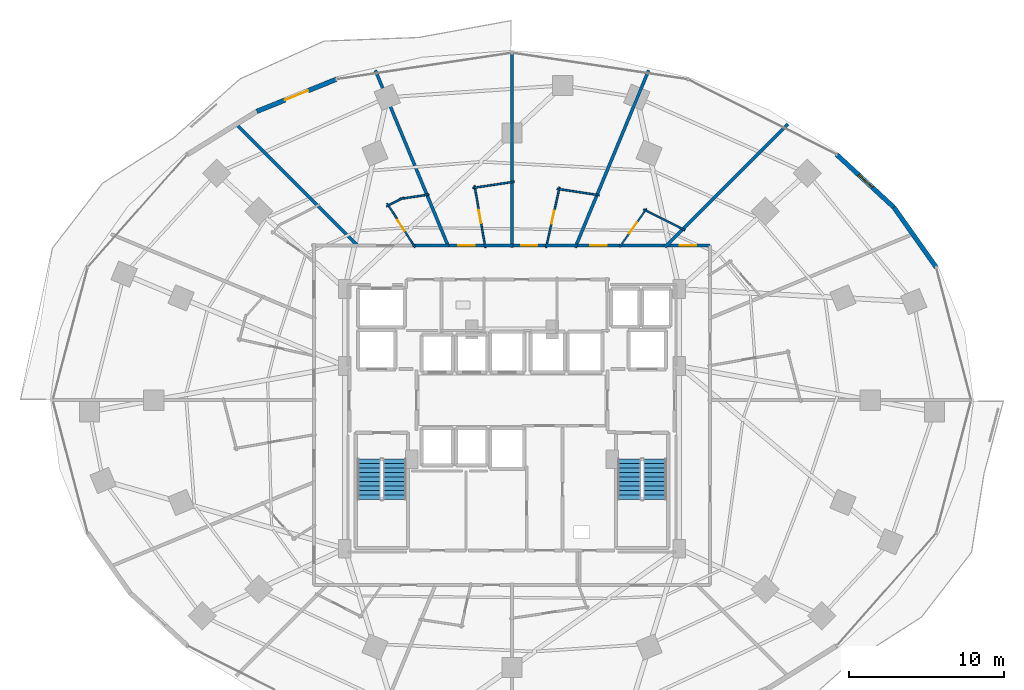
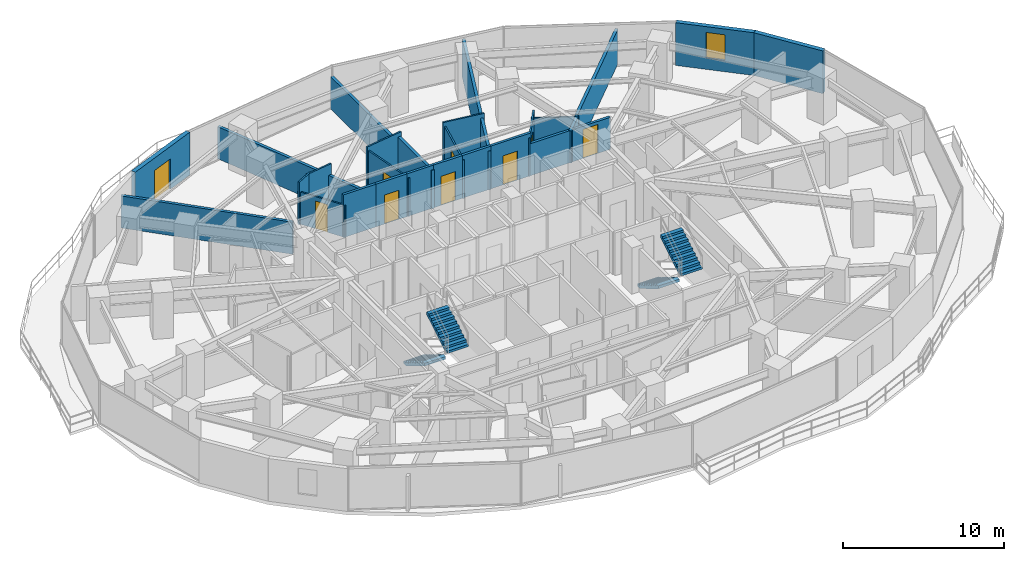
# One storey, part 30 of 34: 28 walls, 9 doors, 4 stair flights, 1 window, 10 openings, 2 elements without a shape of their own.
"""IFC4 building model written with IfcOpenShell, lengths in metres."""

from ifc_helpers import new_model, si_unit, direction, frame, frame_2d, origin, place, context, subcontext, project, spatial, polyline, rectangle, outline, extrude, material, layer, layer_set, type_object, element, fill, aggregate, save


model = new_model("IFC4")

# Units and contexts
model_context = context("Model", 3, precision=1e-05, world=origin(), true_north=direction((0.0, 1.0)))
body_context = subcontext(model_context, "Body", "Model", "MODEL_VIEW")
ifc_project = project(units=[si_unit("LENGTHUNIT", "METRE"), si_unit("AREAUNIT", "SQUARE_METRE"), si_unit("VOLUMEUNIT", "CUBIC_METRE"), si_unit("PLANEANGLEUNIT", "RADIAN"), si_unit("MASSUNIT", "GRAM", prefix="KILO")], contexts=[model_context])

# Site, building, storey
site_placement = place(None, origin())
site = spatial("IfcSite", under=ifc_project, at=site_placement, CompositionType="ELEMENT")
building_placement = place(site_placement, origin())
building = spatial("IfcBuilding", under=site, at=building_placement, Name="Vorneva Point Tower", CompositionType="ELEMENT")
storey_placement = place(building_placement, frame((0.0, 0.0, 27.5)))
storey = spatial("IfcBuildingStorey", under=building, at=storey_placement, Name="L06", CompositionType="ELEMENT", Elevation=27.5)

# Wall
ifc_material_1 = material(Name="Precast concrete B50 (C40/50)", Category="concrete")
ifc_layer_1 = layer(ifc_material_1, 0.300048828125)
ifc_layer_set_1 = layer_set([ifc_layer_1], Name="Precast concrete B50 (C40/50)")
wall_type_1 = type_object("IfcWallType", Name="WL-EXT-300", PredefinedType="STANDARD", material=ifc_layer_set_1)
wall_1_placement = place(storey_placement, frame((65.300537109375, 34.552978515625, 0.0), z_axis=(0.0, 0.0, 1.0), x_axis=(-0.577130815624, 0.816651713803, 0.0)))
element("IfcWall", 1, at=wall_1_placement, inside=storey, type_object=wall_type_1, Name="L06 Pale-Metal Facade Spandrel Wall 02.1", PredefinedType="STANDARD", context=body_context, shape_type="SweptSolid", body=[
    extrude(rectangle(XDim=4.7314453125, YDim=0.300048828125, at=frame_2d((2.36572265625, 0.0))), origin(), (0.0, 0.0, 1.0), 3.239990234375),
])

# Wall, opening, window
wall_2_placement = place(storey_placement, frame((62.56982421875, 38.4169921875, 0.0), z_axis=(0.0, 0.0, 1.0), x_axis=(-0.735342629635, 0.677695519419, 0.0)))
wall_2 = element("IfcWall", 2, at=wall_2_placement, inside=storey, type_object=wall_type_1, Name="L06 Pale-Metal Facade Spandrel Wall 02.2", PredefinedType="STANDARD", context=body_context, shape_type="SweptSolid", body=[
    extrude(rectangle(XDim=4.997314453125, YDim=0.300048828125, at=frame_2d((2.49853515625, 0.0))), origin(), (0.0, 0.0, 1.0), 3.239990234375),
])
opening_1_placement = place(wall_2_placement, frame((1.868896484375, 0.0, 0.85009765625)))
opening_1 = element("IfcOpeningElement", 3, at=opening_1_placement, cuts=wall_2, Name="Opening W-04", PredefinedType="OPENING", context=body_context, shape_type="SweptSolid", body=[
    extrude(rectangle(XDim=1.199951171875, YDim=1.949951171875, at=frame_2d((0.60009765625, 0.97509765625))), frame((0.0, 0.1650390625, 0.0), z_axis=(0.0, -1.0, 0.0), x_axis=(1.0, 0.0, 0.0)), (0.0, 0.0, 1.0), 0.329833984375),
])
ifc_material_2 = material(Name="Double low-e laminated glass IGU", Category="glass")
window_type = type_object("IfcWindowType", Name="WN-RES-1200", PartitioningType="SINGLE_PANEL", PredefinedType="WINDOW", material=ifc_material_2)
window_placement = place(opening_1_placement, origin())
window = element("IfcWindow", 4, at=window_placement, inside=storey, type_object=window_type, Name="L06 Dwelling Vision Window 01", OverallHeight=1.949951171875, OverallWidth=1.199951171875, PartitioningType="SINGLE_PANEL", PredefinedType="WINDOW", context=body_context, shape_type="SweptSolid", body=[
    extrude(rectangle(XDim=1.199951171875, YDim=1.949951171875, at=frame_2d((0.60009765625, 0.97509765625))), frame((0.0, 0.030029296875, 0.0), z_axis=(0.0, -1.0, 0.0), x_axis=(1.0, 0.0, 0.0)), (0.0, 0.0, 1.0), 0.06005859375),
])
fill(opening_1, window)

# Wall, opening, door
wall_3_placement = place(storey_placement, frame((26.691650390625, 46.648681640625, 0.0), z_axis=(0.0, 0.0, 1.0), x_axis=(-0.927095325176, -0.374825636845, 0.0)))
wall_3 = element("IfcWall", 5, at=wall_3_placement, inside=storey, type_object=wall_type_1, Name="L06 Pale-Metal Facade Spandrel Wall 06.1", PredefinedType="STANDARD", context=body_context, shape_type="SweptSolid", body=[
    extrude(rectangle(XDim=5.51025390625, YDim=0.300048828125, at=frame_2d((2.755126953125, 0.0))), origin(), (0.0, 0.0, 1.0), 3.239990234375),
])
opening_2_placement = place(wall_3_placement, frame((1.955322265625, 0.0, 0.0)))
opening_2 = element("IfcOpeningElement", 6, at=opening_2_placement, cuts=wall_3, Name="Opening BD-01", PredefinedType="OPENING", context=body_context, shape_type="SweptSolid", body=[
    extrude(rectangle(XDim=1.60009765625, YDim=2.300048828125, at=frame_2d((0.800048828125, 1.14990234375))), frame((0.0, 0.1650390625, 0.0), z_axis=(0.0, -1.0, 0.0), x_axis=(1.0, 0.0, 0.0)), (0.0, 0.0, 1.0), 0.329833984375),
])
ifc_material_3 = material(Name="Pale anodised aluminium", Category="aluminium")
door_type_1 = type_object("IfcDoorType", Name="DR-BAL-1600", OperationType="SLIDING_TO_LEFT", PredefinedType="DOOR", material=ifc_material_3)
door_1_placement = place(opening_2_placement, origin())
door_1 = element("IfcDoor", 7, at=door_1_placement, inside=storey, type_object=door_type_1, Name="L06 Balcony Terrace Access Door 06", OperationType="SLIDING_TO_LEFT", OverallHeight=2.300048828125, OverallWidth=1.60009765625, PredefinedType="DOOR", context=body_context, shape_type="SweptSolid", body=[
    extrude(rectangle(XDim=1.60009765625, YDim=2.300048828125, at=frame_2d((0.800048828125, 1.14990234375))), frame((0.0, 0.02490234375, 0.0), z_axis=(0.0, -1.0, 0.0), x_axis=(1.0, 0.0, 0.0)), (0.0, 0.0, 1.0), 0.050048828125),
])
fill(opening_2, door_1)

# Wall
ifc_material_4 = material(Name="Fire-rated acoustic gypsum stud partition", Category="gypsum")
ifc_layer_2 = layer(ifc_material_4, 0.110107421875)
ifc_layer_set_2 = layer_set([ifc_layer_2], Name="Fire-rated acoustic gypsum stud partition")
wall_type_2 = type_object("IfcWallType", Name="WL-PART-110", PredefinedType="PARTITIONING", material=ifc_layer_set_2)
wall_4_placement = place(storey_placement, frame((46.462158203125, 38.281005859375, 0.0), z_axis=(0.0, 0.0, 1.0), x_axis=(0.892486842203, -0.451073426944, 0.0)))
element("IfcWall", 8, at=wall_4_placement, inside=storey, type_object=wall_type_2, Name="L06 Interior Partition 066", PredefinedType="PARTITIONING", context=body_context, shape_type="SweptSolid", body=[
    extrude(rectangle(XDim=2.982177734375, YDim=0.110107421875, at=frame_2d((1.4912109375, 0.0))), origin(), (0.0, 0.0, 1.0), 2.431884765625),
])

# Wall, opening, door
wall_5_placement = place(storey_placement, frame((44.91259765625, 35.83544921875, 0.0), z_axis=(0.0, 0.0, 1.0), x_axis=(0.574986040322, 0.818163219312, 0.0)))
wall_5 = element("IfcWall", 9, at=wall_5_placement, inside=storey, type_object=wall_type_2, Name="L06 Interior Partition 067", PredefinedType="PARTITIONING", context=body_context, shape_type="SweptSolid", body=[
    extrude(rectangle(XDim=3.052001953125, YDim=0.110107421875, at=frame_2d((1.52587890625, 0.0))), origin(), (0.0, 0.0, 1.0), 2.922119140625),
])
opening_3_placement = place(wall_5_placement, frame((1.10107421875, 0.0, 0.0)))
opening_3 = element("IfcOpeningElement", 10, at=opening_3_placement, cuts=wall_5, Name="Opening ID-02", PredefinedType="OPENING", context=body_context, shape_type="SweptSolid", body=[
    extrude(rectangle(XDim=0.85009765625, YDim=2.10009765625, at=frame_2d((0.425048828125, 1.050048828125))), frame((0.0, 0.06982421875, 0.0), z_axis=(0.0, -1.0, 0.0), x_axis=(1.0, 0.0, 0.0)), (0.0, 0.0, 1.0), 0.139892578125),
])
ifc_material_5 = material(Name="Engineered oak fire-rated door leaf", Category="wood")
door_type_2 = type_object("IfcDoorType", Name="DR-BATH-850", OperationType="NOTDEFINED", PredefinedType="DOOR", material=ifc_material_5)
door_2_placement = place(opening_3_placement, origin())
door_2 = element("IfcDoor", 11, at=door_2_placement, inside=storey, type_object=door_type_2, Name="L06 Door Corner Suite L06-03 / En-Suite Bathroom L06-03", OperationType="SINGLE_SWING_RIGHT", OverallHeight=2.10009765625, OverallWidth=0.85009765625, PredefinedType="DOOR", context=body_context, shape_type="SweptSolid", body=[
    extrude(rectangle(XDim=0.85009765625, YDim=2.10009765625, at=frame_2d((0.425048828125, 1.050048828125))), frame((0.0, 0.02490234375, 0.0), z_axis=(0.0, -1.0, 0.0), x_axis=(1.0, 0.0, 0.0)), (0.0, 0.0, 1.0), 0.050048828125),
])
fill(opening_3, door_2)

wall_6_placement = place(storey_placement, frame((40.193603515625, 35.8134765625, 0.0), z_axis=(0.0, 0.0, 1.0), x_axis=(0.21804880916, 0.975937865248, 0.0)))
wall_6 = element("IfcWall", 12, at=wall_6_placement, inside=storey, type_object=wall_type_2, Name="L06 Interior Partition 070", PredefinedType="PARTITIONING", context=body_context, shape_type="SweptSolid", body=[
    extrude(rectangle(XDim=3.998291015625, YDim=0.110107421875, at=frame_2d((1.9990234375, 0.0))), origin(), (0.0, 0.0, 1.0), 2.922119140625),
])
opening_4_placement = place(wall_6_placement, frame((1.57421875, 0.0, 0.0)))
opening_4 = element("IfcOpeningElement", 13, at=opening_4_placement, cuts=wall_6, Name="Opening ID-02", PredefinedType="OPENING", context=body_context, shape_type="SweptSolid", body=[
    extrude(rectangle(XDim=0.85009765625, YDim=2.10009765625, at=frame_2d((0.425048828125, 1.050048828125))), frame((0.0, 0.06982421875, 0.0), z_axis=(0.0, -1.0, 0.0), x_axis=(1.0, 0.0, 0.0)), (0.0, 0.0, 1.0), 0.139892578125),
])
door_3_placement = place(opening_4_placement, origin())
door_3 = element("IfcDoor", 14, at=door_3_placement, inside=storey, type_object=door_type_2, Name="L06 Door Junior Suite L06-04 / En-Suite Bathroom L06-04", OperationType="SINGLE_SWING_LEFT", OverallHeight=2.10009765625, OverallWidth=0.85009765625, PredefinedType="DOOR", context=body_context, shape_type="SweptSolid", body=[
    extrude(rectangle(XDim=0.85009765625, YDim=2.10009765625, at=frame_2d((0.425048828125, 1.050048828125))), frame((0.0, 0.02490234375, 0.0), z_axis=(0.0, -1.0, 0.0), x_axis=(1.0, 0.0, 0.0)), (0.0, 0.0, 1.0), 0.050048828125),
])
fill(opening_4, door_3)

# Walls
wall_7_placement = place(storey_placement, frame((40.896484375, 39.599853515625, 0.0), z_axis=(0.0, 0.0, 1.0), x_axis=(0.98891024541, -0.148514398367, 0.0)))
element("IfcWall", 15, at=wall_7_placement, inside=storey, type_object=wall_type_2, Name="L06 Interior Partition 071", PredefinedType="PARTITIONING", context=body_context, shape_type="SweptSolid", body=[
    extrude(rectangle(XDim=2.745361328125, YDim=0.110107421875, at=frame_2d((1.37255859375, 0.0))), origin(), (0.0, 0.0, 1.0), 3.239990234375),
])
wall_8_placement = place(storey_placement, frame((35.474609375, 39.65625, 0.0), z_axis=(0.0, 0.0, 1.0), x_axis=(0.988878442063, 0.148726012595, 0.0)))
element("IfcWall", 16, at=wall_8_placement, inside=storey, type_object=wall_type_2, Name="L06 Interior Partition 074", PredefinedType="PARTITIONING", context=body_context, shape_type="SweptSolid", body=[
    extrude(rectangle(XDim=2.69384765625, YDim=0.110107421875, at=frame_2d((1.346923828125, 0.0))), origin(), (0.0, 0.0, 1.0), 3.239990234375),
])

# Wall, opening, door
wall_9_placement = place(storey_placement, frame((36.287109375, 35.81201171875, 0.0), z_axis=(0.0, 0.0, 1.0), x_axis=(-0.171838135253, 0.985125197766, 0.0)))
wall_9 = element("IfcWall", 17, at=wall_9_placement, inside=storey, type_object=wall_type_2, Name="L06 Interior Partition 075", PredefinedType="PARTITIONING", context=body_context, shape_type="SweptSolid", body=[
    extrude(rectangle(XDim=4.0634765625, YDim=0.110107421875, at=frame_2d((2.03173828125, 0.0))), origin(), (0.0, 0.0, 1.0), 2.922119140625),
])
opening_5_placement = place(wall_9_placement, frame((1.606689453125, 0.0, 0.0)))
opening_5 = element("IfcOpeningElement", 18, at=opening_5_placement, cuts=wall_9, Name="Opening ID-02", PredefinedType="OPENING", context=body_context, shape_type="SweptSolid", body=[
    extrude(rectangle(XDim=0.85009765625, YDim=2.10009765625, at=frame_2d((0.425048828125, 1.050048828125))), frame((0.0, 0.06982421875, 0.0), z_axis=(0.0, -1.0, 0.0), x_axis=(1.0, 0.0, 0.0)), (0.0, 0.0, 1.0), 0.139892578125),
])
door_4_placement = place(opening_5_placement, origin())
door_4 = element("IfcDoor", 19, at=door_4_placement, inside=storey, type_object=door_type_2, Name="L06 Door Executive Suite L06-05 / En-Suite Bathroom L06-05", OperationType="SINGLE_SWING_RIGHT", OverallHeight=2.10009765625, OverallWidth=0.85009765625, PredefinedType="DOOR", context=body_context, shape_type="SweptSolid", body=[
    extrude(rectangle(XDim=0.85009765625, YDim=2.10009765625, at=frame_2d((0.425048828125, 1.050048828125))), frame((0.0, 0.02490234375, 0.0), z_axis=(0.0, -1.0, 0.0), x_axis=(1.0, 0.0, 0.0)), (0.0, 0.0, 1.0), 0.050048828125),
])
fill(opening_5, door_4)

# Walls
wall_10_placement = place(storey_placement, frame((29.919189453125, 38.47265625, 0.0), z_axis=(0.0, 0.0, 1.0), x_axis=(0.892084606746, 0.45186840386, 0.0)))
element("IfcWall", 20, at=wall_10_placement, inside=storey, type_object=wall_type_2, Name="L06 Interior Partition 077", PredefinedType="PARTITIONING", context=body_context, shape_type="SweptSolid", body=[
    extrude(rectangle(XDim=1.236083984375, YDim=0.110107421875, at=frame_2d((0.6181640625, 0.0))), origin(), (0.0, 0.0, 1.0), 3.239990234375),
])
wall_11_placement = place(storey_placement, frame((30.758544921875, 38.947265625, 0.0), z_axis=(0.0, 0.0, 1.0), x_axis=(0.988889867338, 0.148650026153, 0.0)))
element("IfcWall", 21, at=wall_11_placement, inside=storey, type_object=wall_type_2, Name="L06 Interior Partition 078", PredefinedType="PARTITIONING", context=body_context, shape_type="SweptSolid", body=[
    extrude(rectangle(XDim=1.92822265625, YDim=0.110107421875, at=frame_2d((0.964111328125, 0.0))), origin(), (0.0, 0.0, 1.0), 3.239990234375),
])

# Wall, opening, door
wall_12_placement = place(storey_placement, frame((31.760986328125, 35.831787109375, 0.0), z_axis=(0.0, 0.0, 1.0), x_axis=(-0.535991614842, 0.844223305067, 0.0)))
wall_12 = element("IfcWall", 22, at=wall_12_placement, inside=storey, type_object=wall_type_2, Name="L06 Interior Partition 079", PredefinedType="PARTITIONING", context=body_context, shape_type="SweptSolid", body=[
    extrude(rectangle(XDim=3.34326171875, YDim=0.110107421875, at=frame_2d((1.671630859375, 0.0))), origin(), (0.0, 0.0, 1.0), 2.431884765625),
])
opening_6_placement = place(wall_12_placement, frame((1.24658203125, 0.0, 0.0)))
opening_6 = element("IfcOpeningElement", 23, at=opening_6_placement, cuts=wall_12, Name="Opening ID-02", PredefinedType="OPENING", context=body_context, shape_type="SweptSolid", body=[
    extrude(rectangle(XDim=0.85009765625, YDim=2.10009765625, at=frame_2d((0.425048828125, 1.050048828125))), frame((0.0, 0.06982421875, 0.0), z_axis=(0.0, -1.0, 0.0), x_axis=(1.0, 0.0, 0.0)), (0.0, 0.0, 1.0), 0.139892578125),
])
door_5_placement = place(opening_6_placement, origin())
door_5 = element("IfcDoor", 24, at=door_5_placement, inside=storey, type_object=door_type_2, Name="L06 Door Corner Suite L06-06 / En-Suite Bathroom L06-06", OperationType="SINGLE_SWING_LEFT", OverallHeight=2.10009765625, OverallWidth=0.85009765625, PredefinedType="DOOR", context=body_context, shape_type="SweptSolid", body=[
    extrude(rectangle(XDim=0.85009765625, YDim=2.10009765625, at=frame_2d((0.425048828125, 1.050048828125))), frame((0.0, 0.02490234375, 0.0), z_axis=(0.0, -1.0, 0.0), x_axis=(1.0, 0.0, 0.0)), (0.0, 0.0, 1.0), 0.050048828125),
])
fill(opening_6, door_5)

ifc_material_6 = material(Name="Autoclaved aerated concrete blockwork", Category="masonry")
ifc_layer_3 = layer(ifc_material_6, 0.179931640625)
ifc_layer_set_3 = layer_set([ifc_layer_3], Name="Autoclaved aerated concrete blockwork")
wall_type_3 = type_object("IfcWallType", Name="WL-PART-180", PredefinedType="PARTITIONING", material=ifc_layer_set_3)
wall_13_placement = place(storey_placement, frame((50.75, 35.949951171875, 0.0), z_axis=(0.0, 0.0, 1.0), x_axis=(-1.0, 0.0, 0.0)))
wall_13 = element("IfcWall", 25, at=wall_13_placement, inside=storey, type_object=wall_type_3, Name="L06 Interior Partition 027", PredefinedType="PARTITIONING", context=body_context, shape_type="SweptSolid", body=[
    extrude(rectangle(XDim=2.860107421875, YDim=0.179931640625, at=frame_2d((1.43017578125, 0.0))), origin(), (0.0, 0.0, 1.0), 2.431884765625),
])
opening_7_placement = place(wall_13_placement, frame((0.905029296875, 0.0, 0.0)))
opening_7 = element("IfcOpeningElement", 26, at=opening_7_placement, cuts=wall_13, Name="Opening UD-02", PredefinedType="OPENING", context=body_context, shape_type="SweptSolid", body=[
    extrude(rectangle(XDim=1.050048828125, YDim=2.199951171875, at=frame_2d((0.52490234375, 1.10009765625))), frame((0.0, 0.10498046875, 0.0), z_axis=(0.0, -1.0, 0.0), x_axis=(1.0, 0.0, 0.0)), (0.0, 0.0, 1.0), 0.209716796875),
])
door_type_3 = type_object("IfcDoorType", Name="DR-SUITE-1050", OperationType="NOTDEFINED", PredefinedType="DOOR", material=ifc_material_5)
door_6_placement = place(opening_7_placement, origin())
door_6 = element("IfcDoor", 27, at=door_6_placement, inside=storey, type_object=door_type_3, Name="L06 Door L06 Circulation Corridor / Executive Suite L06-02", OperationType="SINGLE_SWING_LEFT", OverallHeight=2.199951171875, OverallWidth=1.050048828125, PredefinedType="DOOR", context=body_context, shape_type="SweptSolid", body=[
    extrude(rectangle(XDim=1.050048828125, YDim=2.199951171875, at=frame_2d((0.52490234375, 1.10009765625))), frame((0.0, 0.02490234375, 0.0), z_axis=(0.0, -1.0, 0.0), x_axis=(1.0, 0.0, 0.0)), (0.0, 0.0, 1.0), 0.050048828125),
])
fill(opening_7, door_6)

wall_14_placement = place(storey_placement, frame((45.06591796875, 35.949951171875, 0.0), z_axis=(0.0, 0.0, 1.0), x_axis=(-1.0, 0.0, 0.0)))
wall_14 = element("IfcWall", 28, at=wall_14_placement, inside=storey, type_object=wall_type_3, Name="L06 Interior Partition 029", PredefinedType="PARTITIONING", context=body_context, shape_type="SweptSolid", body=[
    extrude(rectangle(XDim=3.0048828125, YDim=0.179931640625, at=frame_2d((1.50244140625, 0.0))), origin(), (0.0, 0.0, 1.0), 3.239990234375),
])
opening_8_placement = place(wall_14_placement, frame((0.9775390625, 0.0, 0.0)))
opening_8 = element("IfcOpeningElement", 29, at=opening_8_placement, cuts=wall_14, Name="Opening UD-02", PredefinedType="OPENING", context=body_context, shape_type="SweptSolid", body=[
    extrude(rectangle(XDim=1.050048828125, YDim=2.199951171875, at=frame_2d((0.52490234375, 1.10009765625))), frame((0.0, 0.10498046875, 0.0), z_axis=(0.0, -1.0, 0.0), x_axis=(1.0, 0.0, 0.0)), (0.0, 0.0, 1.0), 0.209716796875),
])
door_7_placement = place(opening_8_placement, origin())
door_7 = element("IfcDoor", 30, at=door_7_placement, inside=storey, type_object=door_type_3, Name="L06 Door L06 Circulation Corridor / Corner Suite L06-03", OperationType="SINGLE_SWING_RIGHT", OverallHeight=2.199951171875, OverallWidth=1.050048828125, PredefinedType="DOOR", context=body_context, shape_type="SweptSolid", body=[
    extrude(rectangle(XDim=1.050048828125, YDim=2.199951171875, at=frame_2d((0.52490234375, 1.10009765625))), frame((0.0, 0.02490234375, 0.0), z_axis=(0.0, -1.0, 0.0), x_axis=(1.0, 0.0, 0.0)), (0.0, 0.0, 1.0), 0.050048828125),
])
fill(opening_8, door_7)

# Wall
wall_15_placement = place(storey_placement, frame((48.030029296875, 35.949951171875, 0.0), z_axis=(0.0, 0.0, 1.0), x_axis=(-1.0, 0.0, 0.0)))
element("IfcWall", 31, at=wall_15_placement, inside=storey, type_object=wall_type_3, Name="L06 Interior Partition 030", PredefinedType="PARTITIONING", context=body_context, shape_type="SweptSolid", body=[
    extrude(rectangle(XDim=3.10400390625, YDim=0.179931640625, at=frame_2d((1.552001953125, 0.0))), origin(), (0.0, 0.0, 1.0), 2.431884765625),
])

# Wall, opening, door
wall_16_placement = place(storey_placement, frame((40.284912109375, 35.949951171875, 0.0), z_axis=(0.0, 0.0, 1.0), x_axis=(-1.0, 0.0, 0.0)))
wall_16 = element("IfcWall", 32, at=wall_16_placement, inside=storey, type_object=wall_type_3, Name="L06 Interior Partition 031", PredefinedType="PARTITIONING", context=body_context, shape_type="SweptSolid", body=[
    extrude(rectangle(XDim=2.344970703125, YDim=0.179931640625, at=frame_2d((1.17236328125, 0.0))), origin(), (0.0, 0.0, 1.0), 3.239990234375),
])
opening_9_placement = place(wall_16_placement, frame((0.6474609375, 0.0, 0.0)))
opening_9 = element("IfcOpeningElement", 33, at=opening_9_placement, cuts=wall_16, Name="Opening UD-02", PredefinedType="OPENING", context=body_context, shape_type="SweptSolid", body=[
    extrude(rectangle(XDim=1.050048828125, YDim=2.199951171875, at=frame_2d((0.52490234375, 1.10009765625))), frame((0.0, 0.10498046875, 0.0), z_axis=(0.0, -1.0, 0.0), x_axis=(1.0, 0.0, 0.0)), (0.0, 0.0, 1.0), 0.209716796875),
])
door_8_placement = place(opening_9_placement, origin())
door_8 = element("IfcDoor", 34, at=door_8_placement, inside=storey, type_object=door_type_3, Name="L06 Door L06 Circulation Corridor / Junior Suite L06-04", OperationType="SINGLE_SWING_LEFT", OverallHeight=2.199951171875, OverallWidth=1.050048828125, PredefinedType="DOOR", context=body_context, shape_type="SweptSolid", body=[
    extrude(rectangle(XDim=1.050048828125, YDim=2.199951171875, at=frame_2d((0.52490234375, 1.10009765625))), frame((0.0, 0.02490234375, 0.0), z_axis=(0.0, -1.0, 0.0), x_axis=(1.0, 0.0, 0.0)), (0.0, 0.0, 1.0), 0.050048828125),
])
fill(opening_9, door_8)

# Wall
wall_17_placement = place(storey_placement, frame((42.200927734375, 35.949951171875, 0.0), z_axis=(0.0, 0.0, 1.0), x_axis=(-1.0, 0.0, 0.0)))
element("IfcWall", 35, at=wall_17_placement, inside=storey, type_object=wall_type_3, Name="L06 Interior Partition 032", PredefinedType="PARTITIONING", context=body_context, shape_type="SweptSolid", body=[
    extrude(rectangle(XDim=2.055908203125, YDim=0.179931640625, at=frame_2d((1.02783203125, 0.0))), origin(), (0.0, 0.0, 1.0), 3.239990234375),
])

# Wall, opening, door
wall_18_placement = place(storey_placement, frame((36.322998046875, 35.949951171875, 0.0), z_axis=(0.0, 0.0, 1.0), x_axis=(-1.0, 0.0, 0.0)))
wall_18 = element("IfcWall", 36, at=wall_18_placement, inside=storey, type_object=wall_type_3, Name="L06 Interior Partition 033", PredefinedType="PARTITIONING", context=body_context, shape_type="SweptSolid", body=[
    extrude(rectangle(XDim=2.509033203125, YDim=0.179931640625, at=frame_2d((1.25439453125, 0.0))), origin(), (0.0, 0.0, 1.0), 3.239990234375),
])
opening_10_placement = place(wall_18_placement, frame((0.7294921875, 0.0, 0.0)))
opening_10 = element("IfcOpeningElement", 37, at=opening_10_placement, cuts=wall_18, Name="Opening UD-02", PredefinedType="OPENING", context=body_context, shape_type="SweptSolid", body=[
    extrude(rectangle(XDim=1.050048828125, YDim=2.199951171875, at=frame_2d((0.52490234375, 1.10009765625))), frame((0.0, 0.10498046875, 0.0), z_axis=(0.0, -1.0, 0.0), x_axis=(1.0, 0.0, 0.0)), (0.0, 0.0, 1.0), 0.209716796875),
])
door_9_placement = place(opening_10_placement, origin())
door_9 = element("IfcDoor", 38, at=door_9_placement, inside=storey, type_object=door_type_3, Name="L06 Door L06 Circulation Corridor / Executive Suite L06-05", OperationType="SINGLE_SWING_RIGHT", OverallHeight=2.199951171875, OverallWidth=1.050048828125, PredefinedType="DOOR", context=body_context, shape_type="SweptSolid", body=[
    extrude(rectangle(XDim=1.050048828125, YDim=2.199951171875, at=frame_2d((0.52490234375, 1.10009765625))), frame((0.0, 0.02490234375, 0.0), z_axis=(0.0, -1.0, 0.0), x_axis=(1.0, 0.0, 0.0)), (0.0, 0.0, 1.0), 0.050048828125),
])
fill(opening_10, door_9)

# Walls
wall_19_placement = place(storey_placement, frame((38.080078125, 35.949951171875, 0.0), z_axis=(0.0, 0.0, 1.0), x_axis=(-1.0, 0.0, 0.0)))
element("IfcWall", 39, at=wall_19_placement, inside=storey, type_object=wall_type_3, Name="L06 Interior Partition 034", PredefinedType="PARTITIONING", context=body_context, shape_type="SweptSolid", body=[
    extrude(rectangle(XDim=1.89697265625, YDim=0.179931640625, at=frame_2d((0.948486328125, 0.0))), origin(), (0.0, 0.0, 1.0), 3.239990234375),
])
wall_20_placement = place(storey_placement, frame((33.9541015625, 35.949951171875, 0.0), z_axis=(0.0, 0.0, 1.0), x_axis=(-1.0, 0.0, 0.0)))
element("IfcWall", 40, at=wall_20_placement, inside=storey, type_object=wall_type_3, Name="L06 Interior Partition 036", PredefinedType="PARTITIONING", context=body_context, shape_type="SweptSolid", body=[
    extrude(rectangle(XDim=2.34814453125, YDim=0.179931640625, at=frame_2d((1.174072265625, 0.0))), origin(), (0.0, 0.0, 1.0), 3.239990234375),
])
ifc_layer_4 = layer(ifc_material_6, 0.199951171875)
ifc_layer_set_4 = layer_set([ifc_layer_4], Name="Autoclaved aerated concrete blockwork")
wall_type_4 = type_object("IfcWallType", Name="WL-PART-200", PredefinedType="PARTITIONING", material=ifc_layer_set_4)
wall_21_placement = place(storey_placement, frame((55.7529296875, 43.7529296875, 0.0), z_axis=(0.0, 0.0, 1.0), x_axis=(-0.707106781187, -0.707106781187, 0.0)))
element("IfcWall", 41, at=wall_21_placement, inside=storey, type_object=wall_type_4, Name="L06 Interior Partition 064", PredefinedType="PARTITIONING", context=body_context, shape_type="SweptSolid", body=[
    extrude(rectangle(XDim=9.614990234375, YDim=0.199951171875, at=frame_2d((4.8076171875, 0.0))), origin(), (0.0, 0.0, 1.0), 2.6240234375),
])
wall_22_placement = place(storey_placement, frame((49.052978515625, 37.052978515625, 0.0), z_axis=(0.0, 0.0, 1.0), x_axis=(-0.707106781187, -0.707106781187, 0.0)))
element("IfcWall", 42, at=wall_22_placement, inside=storey, type_object=wall_type_4, Name="L06 Interior Partition 065", PredefinedType="PARTITIONING", context=body_context, shape_type="SweptSolid", body=[
    extrude(rectangle(XDim=1.69970703125, YDim=0.199951171875, at=frame_2d((0.849853515625, 0.0))), origin(), (0.0, 0.0, 1.0), 2.431884765625),
])
wall_23_placement = place(storey_placement, frame((46.7919921875, 47.22509765625, 0.0), z_axis=(0.0, 0.0, 1.0), x_axis=(-0.382750893248, -0.923851586413, 0.0)))
element("IfcWall", 43, at=wall_23_placement, inside=storey, type_object=wall_type_4, Name="L06 Interior Partition 068", PredefinedType="PARTITIONING", context=body_context, shape_type="SweptSolid", body=[
    extrude(rectangle(XDim=8.734130859375, YDim=0.199951171875, at=frame_2d((4.3671875, 0.0))), origin(), (0.0, 0.0, 1.0), 2.8740234375),
])
wall_24_placement = place(storey_placement, frame((43.503173828125, 39.28515625, 0.0), z_axis=(0.0, 0.0, 1.0), x_axis=(-0.382867331148, -0.923803337697, 0.0)))
element("IfcWall", 44, at=wall_24_placement, inside=storey, type_object=wall_type_4, Name="L06 Interior Partition 069", PredefinedType="PARTITIONING", context=body_context, shape_type="SweptSolid", body=[
    extrude(rectangle(XDim=3.75, YDim=0.199951171875, at=frame_2d((1.875, 0.0))), origin(), (0.0, 0.0, 1.0), 2.922119140625),
])
wall_25_placement = place(storey_placement, frame((38.0, 48.35009765625, 0.0), z_axis=(0.0, 0.0, 1.0), x_axis=(0.0, -1.0, 0.0)))
element("IfcWall", 45, at=wall_25_placement, inside=storey, type_object=wall_type_4, Name="L06 Interior Partition 072", PredefinedType="PARTITIONING", context=body_context, shape_type="SweptSolid", body=[
    extrude(rectangle(XDim=8.375, YDim=0.199951171875, at=frame_2d((4.1875, 0.0))), origin(), (0.0, 0.0, 1.0), 2.431884765625),
])
wall_26_placement = place(storey_placement, frame((38.0, 40.114990234375, 0.0), z_axis=(0.0, 0.0, 1.0), x_axis=(0.0, -1.0, 0.0)))
element("IfcWall", 46, at=wall_26_placement, inside=storey, type_object=wall_type_4, Name="L06 Interior Partition 073", PredefinedType="PARTITIONING", context=body_context, shape_type="SweptSolid", body=[
    extrude(rectangle(XDim=4.304931640625, YDim=0.199951171875, at=frame_2d((2.15234375, 0.0))), origin(), (0.0, 0.0, 1.0), 2.922119140625),
])
wall_27_placement = place(storey_placement, frame((29.2080078125, 47.22509765625, 0.0), z_axis=(0.0, 0.0, 1.0), x_axis=(0.382723985517, -0.923862733803, 0.0)))
element("IfcWall", 47, at=wall_27_placement, inside=storey, type_object=wall_type_4, Name="L06 Interior Partition 076", PredefinedType="PARTITIONING", context=body_context, shape_type="SweptSolid", body=[
    extrude(rectangle(XDim=12.204345703125, YDim=0.199951171875, at=frame_2d((6.10205078125, 0.0))), origin(), (0.0, 0.0, 1.0), 2.431884765625),
])
wall_28_placement = place(storey_placement, frame((20.2470703125, 43.7529296875, 0.0), z_axis=(0.0, 0.0, 1.0), x_axis=(0.707106781187, -0.707106781187, 0.0)))
element("IfcWall", 48, at=wall_28_placement, inside=storey, type_object=wall_type_4, Name="L06 Interior Partition 080", PredefinedType="PARTITIONING", context=body_context, shape_type="SweptSolid", body=[
    extrude(rectangle(XDim=11.03515625, YDim=0.199951171875, at=frame_2d((5.517578125, 0.0))), origin(), (0.0, 0.0, 1.0), 2.431884765625),
])

# Stair, stair flights
ifc_material_7 = material(Name="Concrete B50 (C40/50)", Category="concrete")
stair_type = type_object("IfcStairType", Name="ST-DOG-1500", PredefinedType="HALF_TURN_STAIR", material=ifc_material_7)
stair_1_placement = place(storey_placement, origin())
stair_1 = element("IfcStair", 49, at=stair_1_placement, inside=storey, type_object=stair_type, Name="L06 ST1", PredefinedType="HALF_TURN_STAIR")
stair_flight_type = type_object("IfcStairFlightType", Name="STF-1500", PredefinedType="STRAIGHT", material=ifc_material_7)
stair_flight_1_placement = place(storey_placement, frame((28.800048828125, 22.219970703125, 0.0), z_axis=(0.0, 0.0, 1.0), x_axis=(0.0, -1.0, 0.0)))
stair_flight_1 = element("IfcStairFlight", 50, at=stair_flight_1_placement, type_object=stair_flight_type, Name="ST1 flight 1", NumberOfRisers=10, NumberOfTreads=9, PredefinedType="STRAIGHT", RiserHeight=0.175, TreadLength=0.29, context=body_context, shape_type="SweptSolid", body=[
    extrude(outline(polyline([(0.0, 0.0), (0.0, 0.175048828125), (0.2900390625, 0.175048828125), (0.2900390625, 0.35009765625), (0.580078125, 0.35009765625), (0.580078125, 0.52490234375), (0.8701171875, 0.52490234375), (0.8701171875, 0.699951171875), (1.159912109375, 0.699951171875), (1.159912109375, 0.875), (1.449951171875, 0.875), (1.449951171875, 1.050048828125), (1.739990234375, 1.050048828125), (1.739990234375, 1.22509765625), (2.030029296875, 1.22509765625), (2.030029296875, 1.39990234375), (2.320068359375, 1.39990234375), (2.320068359375, 1.574951171875), (2.610107421875, 1.574951171875), (2.610107421875, 1.75), (2.610107421875, 1.36474609375), (0.34814453125, 0.0), (0.0, 0.0)])), frame((0.0, 0.75, 0.0), z_axis=(0.0, -1.0, 0.0), x_axis=(1.0, 0.0, 0.0)), (0.0, 0.0, 1.0), 1.5),
])
stair_flight_2_placement = place(storey_placement, frame((30.449951171875, 19.610107421875, 1.75), z_axis=(0.0, 0.0, 1.0), x_axis=(0.0, 1.0, 0.0)))
stair_flight_2 = element("IfcStairFlight", 51, at=stair_flight_2_placement, type_object=stair_flight_type, Name="ST1 flight 2", NumberOfRisers=10, NumberOfTreads=9, PredefinedType="STRAIGHT", RiserHeight=0.175, TreadLength=0.29, context=body_context, shape_type="SweptSolid", body=[
    extrude(outline(polyline([(0.0, 0.0), (0.0, 0.175048828125), (0.2900390625, 0.175048828125), (0.2900390625, 0.35009765625), (0.580078125, 0.35009765625), (0.580078125, 0.52490234375), (0.8701171875, 0.52490234375), (0.8701171875, 0.699951171875), (1.159912109375, 0.699951171875), (1.159912109375, 0.875), (1.449951171875, 0.875), (1.449951171875, 1.050048828125), (1.739990234375, 1.050048828125), (1.739990234375, 1.22509765625), (2.030029296875, 1.22509765625), (2.030029296875, 1.39990234375), (2.320068359375, 1.39990234375), (2.320068359375, 1.574951171875), (2.610107421875, 1.574951171875), (2.610107421875, 1.75), (2.610107421875, 1.36474609375), (0.34814453125, 0.0), (0.0, 0.0)])), frame((0.0, 0.75, 0.0), z_axis=(0.0, -1.0, 0.0), x_axis=(1.0, 0.0, 0.0)), (0.0, 0.0, 1.0), 1.5),
])
aggregate(stair_1, [stair_flight_1, stair_flight_2])

stair_2_placement = place(storey_placement, origin())
stair_2 = element("IfcStair", 52, at=stair_2_placement, inside=storey, type_object=stair_type, Name="L06 ST2", PredefinedType="HALF_TURN_STAIR")
stair_flight_3_placement = place(storey_placement, frame((45.550048828125, 22.219970703125, 0.0), z_axis=(0.0, 0.0, 1.0), x_axis=(0.0, -1.0, 0.0)))
stair_flight_3 = element("IfcStairFlight", 53, at=stair_flight_3_placement, type_object=stair_flight_type, Name="ST2 flight 1", NumberOfRisers=10, NumberOfTreads=9, PredefinedType="STRAIGHT", RiserHeight=0.175, TreadLength=0.29, context=body_context, shape_type="SweptSolid", body=[
    extrude(outline(polyline([(0.0, 0.0), (0.0, 0.175048828125), (0.2900390625, 0.175048828125), (0.2900390625, 0.35009765625), (0.580078125, 0.35009765625), (0.580078125, 0.52490234375), (0.8701171875, 0.52490234375), (0.8701171875, 0.699951171875), (1.159912109375, 0.699951171875), (1.159912109375, 0.875), (1.449951171875, 0.875), (1.449951171875, 1.050048828125), (1.739990234375, 1.050048828125), (1.739990234375, 1.22509765625), (2.030029296875, 1.22509765625), (2.030029296875, 1.39990234375), (2.320068359375, 1.39990234375), (2.320068359375, 1.574951171875), (2.610107421875, 1.574951171875), (2.610107421875, 1.75), (2.610107421875, 1.36474609375), (0.34814453125, 0.0), (0.0, 0.0)])), frame((0.0, 0.75, 0.0), z_axis=(0.0, -1.0, 0.0), x_axis=(1.0, 0.0, 0.0)), (0.0, 0.0, 1.0), 1.5),
])
stair_flight_4_placement = place(storey_placement, frame((47.199951171875, 19.610107421875, 1.75), z_axis=(0.0, 0.0, 1.0), x_axis=(0.0, 1.0, 0.0)))
stair_flight_4 = element("IfcStairFlight", 54, at=stair_flight_4_placement, type_object=stair_flight_type, Name="ST2 flight 2", NumberOfRisers=10, NumberOfTreads=9, PredefinedType="STRAIGHT", RiserHeight=0.175, TreadLength=0.29, context=body_context, shape_type="SweptSolid", body=[
    extrude(outline(polyline([(0.0, 0.0), (0.0, 0.175048828125), (0.2900390625, 0.175048828125), (0.2900390625, 0.35009765625), (0.580078125, 0.35009765625), (0.580078125, 0.52490234375), (0.8701171875, 0.52490234375), (0.8701171875, 0.699951171875), (1.159912109375, 0.699951171875), (1.159912109375, 0.875), (1.449951171875, 0.875), (1.449951171875, 1.050048828125), (1.739990234375, 1.050048828125), (1.739990234375, 1.22509765625), (2.030029296875, 1.22509765625), (2.030029296875, 1.39990234375), (2.320068359375, 1.39990234375), (2.320068359375, 1.574951171875), (2.610107421875, 1.574951171875), (2.610107421875, 1.75), (2.610107421875, 1.36474609375), (0.34814453125, 0.0), (0.0, 0.0)])), frame((0.0, 0.75, 0.0), z_axis=(0.0, -1.0, 0.0), x_axis=(1.0, 0.0, 0.0)), (0.0, 0.0, 1.0), 1.5),
])
aggregate(stair_2, [stair_flight_3, stair_flight_4])

save(model, "model.ifc")
